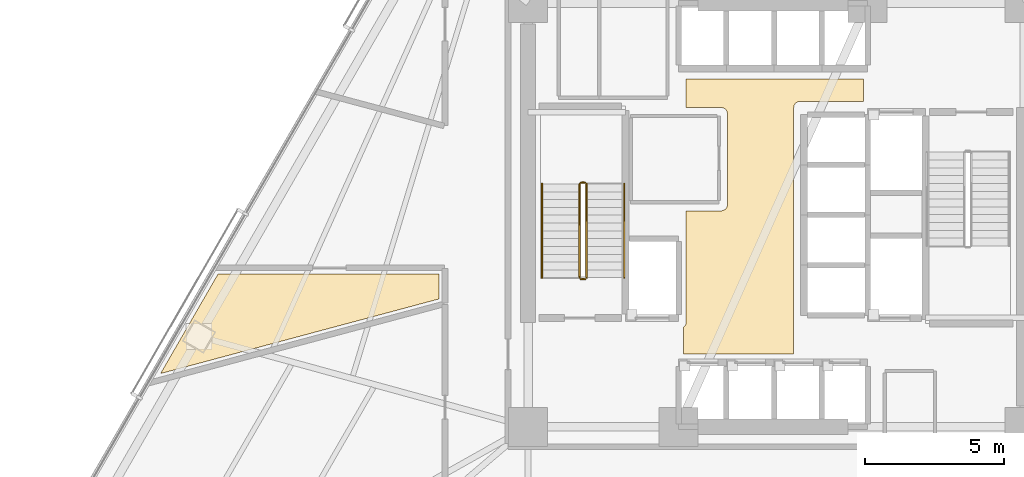
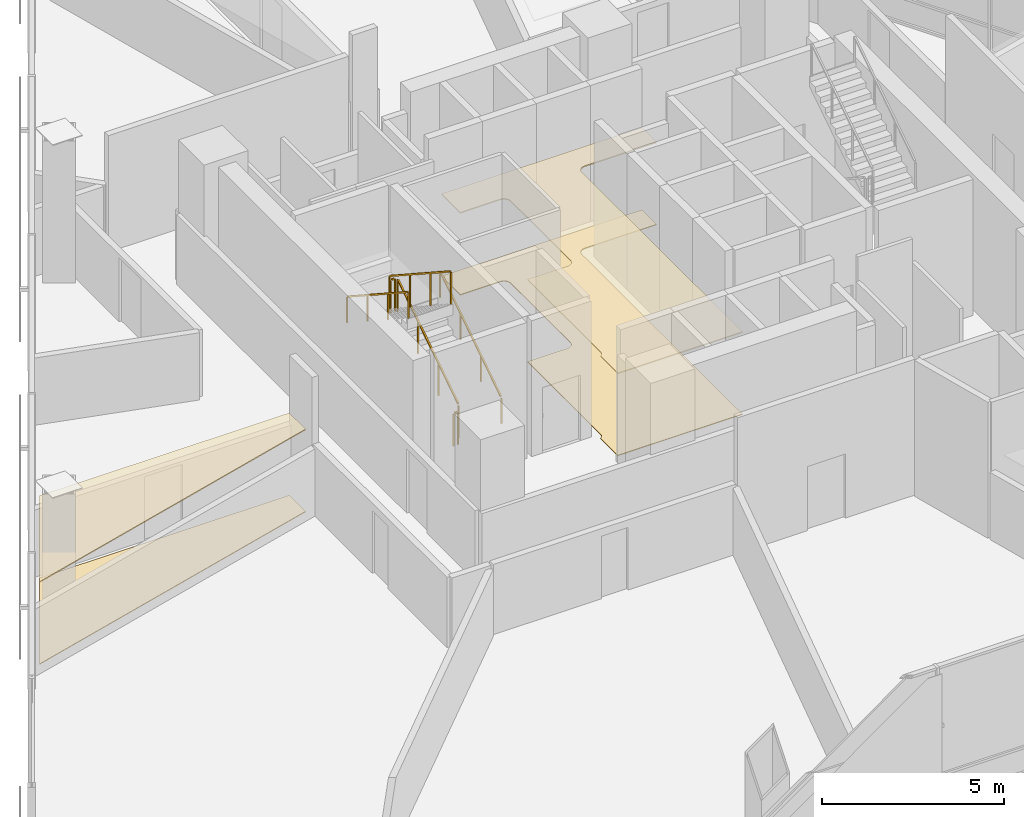
# One storey, part 14 of 17: 6 railings, 4 coverings.
"""IFC4 building model written with IfcOpenShell, lengths in metres."""

from ifc_helpers import new_model, si_unit, direction, frame, origin, origin_2d, place, context, subcontext, project, spatial, polyline, rectangle, outline, extrude, material, layer, layer_set, type_object, element, save


model = new_model("IFC4")

# Units and contexts
model_context = context("Model", 3, precision=1e-05, world=origin(), true_north=direction((0.0, 1.0)))
body_context = subcontext(model_context, "Body", "Model", "MODEL_VIEW")
ifc_project = project(units=[si_unit("LENGTHUNIT", "METRE"), si_unit("AREAUNIT", "SQUARE_METRE"), si_unit("VOLUMEUNIT", "CUBIC_METRE"), si_unit("PLANEANGLEUNIT", "RADIAN"), si_unit("MASSUNIT", "GRAM", prefix="KILO")], contexts=[model_context])

# Site, building, storey
site_placement = place(None, origin())
site = spatial("IfcSite", under=ifc_project, at=site_placement, CompositionType="ELEMENT")
building_placement = place(site_placement, origin())
building = spatial("IfcBuilding", under=site, at=building_placement, Name="Tharavind Bronze Gate", CompositionType="ELEMENT")
storey_placement = place(building_placement, frame((0.0, 0.0, 52.25)))
storey = spatial("IfcBuildingStorey", under=building, at=storey_placement, Name="L12", CompositionType="ELEMENT", Elevation=52.25)

# Coverings
ifc_material_1 = material(Name="Perforated Bronze Acoustic Panel", Category="bronze")
ifc_layer_1 = layer(ifc_material_1, 0.044921875)
ifc_layer_set_1 = layer_set([ifc_layer_1], Name="Perforated Bronze Acoustic Panel")
covering_type_1 = type_object("IfcCoveringType", Name="ACOUSTIC BRONZE BAFFLE CEILING", PredefinedType="CEILING", material=ifc_layer_set_1)
covering_1_placement = place(storey_placement, frame((0.0, 0.0, 2.75)))
element("IfcCovering", 1, at=covering_1_placement, inside=storey, type_object=covering_type_1, Name="L12-C-LL suspended ceiling", PredefinedType="CEILING", context=body_context, shape_type="SweptSolid", body=[
    extrude(outline(polyline([(-3.330078125, -4.97998046875), (0.6298828125, -4.97998046875), (0.6298828125, 3.85009765625), (0.631103515625, 3.87158203125), (0.63427734375, 3.892822265625), (0.639404296875, 3.913818359375), (0.646728515625, 3.93408203125), (0.656005859375, 3.95361328125), (0.6669921875, 3.97216796875), (0.679931640625, 3.989501953125), (0.6943359375, 4.005615234375), (0.71044921875, 4.02001953125), (0.727783203125, 4.032958984375), (0.746337890625, 4.0439453125), (0.765869140625, 4.05322265625), (0.7861328125, 4.060546875), (0.80712890625, 4.06591796875), (0.828369140625, 4.06884765625), (0.85009765625, 4.070068359375), (3.1298828125, 4.070068359375), (3.1298828125, 4.8798828125), (-3.22998046875, 4.8798828125), (-3.22998046875, 3.85009765625), (-1.969970703125, 3.85009765625), (-1.948486328125, 3.848876953125), (-1.927001953125, 3.845703125), (-1.906005859375, 3.840576171875), (-1.8857421875, 3.833251953125), (-1.8662109375, 3.823974609375), (-1.847900390625, 3.81298828125), (-1.830322265625, 3.800048828125), (-1.814453125, 3.78564453125), (-1.7998046875, 3.76953125), (-1.787109375, 3.752197265625), (-1.77587890625, 3.733642578125), (-1.7666015625, 3.714111328125), (-1.759521484375, 3.69384765625), (-1.754150390625, 3.6728515625), (-1.751220703125, 3.651611328125), (-1.75, 3.6298828125), (-1.75, 0.3701171875), (-1.751220703125, 0.348388671875), (-1.754150390625, 0.3271484375), (-1.759521484375, 0.30615234375), (-1.7666015625, 0.285888671875), (-1.77587890625, 0.266357421875), (-1.787109375, 0.247802734375), (-1.7998046875, 0.23046875), (-1.814453125, 0.21435546875), (-1.830322265625, 0.199951171875), (-1.847900390625, 0.18701171875), (-1.8662109375, 0.176025390625), (-1.8857421875, 0.166748046875), (-1.906005859375, 0.159423828125), (-1.927001953125, 0.154296875), (-1.948486328125, 0.151123046875), (-1.969970703125, 0.14990234375), (-3.22998046875, 0.14990234375), (-3.22998046875, -3.85009765625), (-3.231201171875, -3.87158203125), (-3.234130859375, -3.892822265625), (-3.239501953125, -3.913818359375), (-3.24658203125, -3.93408203125), (-3.256103515625, -3.95361328125), (-3.26708984375, -3.97216796875), (-3.27978515625, -3.989501953125), (-3.29443359375, -4.005615234375), (-3.310302734375, -4.02001953125), (-3.327880859375, -4.032958984375), (-3.330078125, -4.0341796875), (-3.330078125, -4.97998046875)])), origin(), (0.0, 0.0, 1.0), 0.034912109375),
])
covering_2_placement = place(storey_placement, frame((0.0, 0.0, 2.75)))
element("IfcCovering", 2, at=covering_2_placement, inside=storey, type_object=covering_type_1, Name="L12-RM-06 suspended ceiling", PredefinedType="CEILING", context=body_context, shape_type="SweptSolid", body=[
    extrude(outline(polyline([(-12.10009765625, -3.014404296875), (-12.10009765625, -2.1201171875), (-20.0224609375, -2.1201171875), (-22.08349609375, -5.689453125), (-12.10009765625, -3.014404296875)])), origin(), (0.0, 0.0, 1.0), 0.034912109375),
])
ifc_material_2 = material(Name="Honed Travertine Limestone", Category="masonry")
ifc_layer_2 = layer(ifc_material_2, 0.030029296875)
ifc_layer_set_2 = layer_set([ifc_layer_2], Name="Honed Travertine Limestone")
covering_type_2 = type_object("IfcCoveringType", Name="HONED LIMESTONE FLOORING", PredefinedType="FLOORING", material=ifc_layer_set_2)
covering_3_placement = place(storey_placement, origin())
element("IfcCovering", 3, at=covering_3_placement, inside=storey, type_object=covering_type_2, Name="L12-C-LL floor finish", PredefinedType="FLOORING", context=body_context, shape_type="SweptSolid", body=[
    extrude(outline(polyline([(-3.330078125, -4.97998046875), (0.6298828125, -4.97998046875), (0.6298828125, 3.85009765625), (0.631103515625, 3.87158203125), (0.63427734375, 3.892822265625), (0.639404296875, 3.913818359375), (0.646728515625, 3.93408203125), (0.656005859375, 3.95361328125), (0.6669921875, 3.97216796875), (0.679931640625, 3.989501953125), (0.6943359375, 4.005615234375), (0.71044921875, 4.02001953125), (0.727783203125, 4.032958984375), (0.746337890625, 4.0439453125), (0.765869140625, 4.05322265625), (0.7861328125, 4.060546875), (0.80712890625, 4.06591796875), (0.828369140625, 4.06884765625), (0.85009765625, 4.070068359375), (3.1298828125, 4.070068359375), (3.1298828125, 4.8798828125), (-3.22998046875, 4.8798828125), (-3.22998046875, 3.85009765625), (-1.969970703125, 3.85009765625), (-1.948486328125, 3.848876953125), (-1.927001953125, 3.845703125), (-1.906005859375, 3.840576171875), (-1.8857421875, 3.833251953125), (-1.8662109375, 3.823974609375), (-1.847900390625, 3.81298828125), (-1.830322265625, 3.800048828125), (-1.814453125, 3.78564453125), (-1.7998046875, 3.76953125), (-1.787109375, 3.752197265625), (-1.77587890625, 3.733642578125), (-1.7666015625, 3.714111328125), (-1.759521484375, 3.69384765625), (-1.754150390625, 3.6728515625), (-1.751220703125, 3.651611328125), (-1.75, 3.6298828125), (-1.75, 0.3701171875), (-1.751220703125, 0.348388671875), (-1.754150390625, 0.3271484375), (-1.759521484375, 0.30615234375), (-1.7666015625, 0.285888671875), (-1.77587890625, 0.266357421875), (-1.787109375, 0.247802734375), (-1.7998046875, 0.23046875), (-1.814453125, 0.21435546875), (-1.830322265625, 0.199951171875), (-1.847900390625, 0.18701171875), (-1.8662109375, 0.176025390625), (-1.8857421875, 0.166748046875), (-1.906005859375, 0.159423828125), (-1.927001953125, 0.154296875), (-1.948486328125, 0.151123046875), (-1.969970703125, 0.14990234375), (-3.22998046875, 0.14990234375), (-3.22998046875, -3.85009765625), (-3.231201171875, -3.87158203125), (-3.234130859375, -3.892822265625), (-3.239501953125, -3.913818359375), (-3.24658203125, -3.93408203125), (-3.256103515625, -3.95361328125), (-3.26708984375, -3.97216796875), (-3.27978515625, -3.989501953125), (-3.29443359375, -4.005615234375), (-3.310302734375, -4.02001953125), (-3.327880859375, -4.032958984375), (-3.330078125, -4.0341796875), (-3.330078125, -4.97998046875)])), origin(), (0.0, 0.0, 1.0), 0.02490234375),
])
covering_4_placement = place(storey_placement, origin())
element("IfcCovering", 4, at=covering_4_placement, inside=storey, type_object=covering_type_2, Name="L12-RM-06 floor finish", PredefinedType="FLOORING", context=body_context, shape_type="SweptSolid", body=[
    extrude(outline(polyline([(-12.10009765625, -3.014404296875), (-12.10009765625, -2.1201171875), (-20.0224609375, -2.1201171875), (-22.08349609375, -5.689453125), (-12.10009765625, -3.014404296875)])), origin(), (0.0, 0.0, 1.0), 0.02490234375),
])

# Railings
ifc_material_3 = material(Name="Brushed Bronze Alloy", Category="metal")
railing_type_1 = type_object("IfcRailingType", Name="STAIR BRONZE HANDRAIL 900", PredefinedType="HANDRAIL", material=ifc_material_3)
railing_1_placement = place(storey_placement, frame((-5.449951171875, -2.25, 0.1826171875)))
element("IfcRailing", 5, at=railing_1_placement, inside=storey, type_object=railing_type_1, Name="L12 ST1 stair handrail 1", PredefinedType="HANDRAIL", context=body_context, shape_type="SweptSolid", body=[
    extrude(rectangle(XDim=0.048095703125, YDim=0.048095703125, at=origin_2d()), frame((0.0, 0.02685546875, 0.893310546875), z_axis=(0.0, 0.837495574281, 0.546444107901), x_axis=(-1.0, 0.0, 0.0)), (0.0, 0.0, 1.0), 3.947998046875),
    extrude(rectangle(XDim=0.0400390625, YDim=0.0400390625, at=origin_2d()), origin(), (0.0, 0.0, 1.0), 0.847900390625),
    extrude(rectangle(XDim=0.0400390625, YDim=0.0400390625, at=origin_2d()), frame((0.0, 1.1201171875, 0.730712890625)), (0.0, 0.0, 1.0), 0.847900390625),
    extrude(rectangle(XDim=0.0400390625, YDim=0.0400390625, at=origin_2d()), frame((0.0, 2.239990234375, 1.461669921875)), (0.0, 0.0, 1.0), 0.847900390625),
    extrude(rectangle(XDim=0.0400390625, YDim=0.0400390625, at=origin_2d()), frame((0.0, 3.360107421875, 2.1923828125)), (0.0, 0.0, 1.0), 0.847900390625),
])
railing_2_placement = place(storey_placement, frame((-8.39990234375, 1.110107421875, 2.5576171875)))
element("IfcRailing", 6, at=railing_2_placement, inside=storey, type_object=railing_type_1, Name="L12 ST1 stair handrail 2", PredefinedType="HANDRAIL", context=body_context, shape_type="SweptSolid", body=[
    extrude(rectangle(XDim=0.048095703125, YDim=0.048095703125, at=origin_2d()), frame((0.0, -0.02685546875, 0.893310546875), z_axis=(0.0, -0.837495574281, 0.546444107901), x_axis=(1.0, 0.0, 0.0)), (0.0, 0.0, 1.0), 3.947998046875),
    extrude(rectangle(XDim=0.0400390625, YDim=0.0400390625, at=origin_2d()), origin(), (0.0, 0.0, 1.0), 0.847900390625),
    extrude(rectangle(XDim=0.0400390625, YDim=0.0400390625, at=origin_2d()), frame((0.0, -1.1201171875, 0.730712890625)), (0.0, 0.0, 1.0), 0.847900390625),
    extrude(rectangle(XDim=0.0400390625, YDim=0.0400390625, at=origin_2d()), frame((0.0, -2.239990234375, 1.461669921875)), (0.0, 0.0, 1.0), 0.847900390625),
    extrude(rectangle(XDim=0.0400390625, YDim=0.0400390625, at=origin_2d()), frame((0.0, -3.360107421875, 2.1923828125)), (0.0, 0.0, 1.0), 0.847900390625),
])
railing_type_2 = type_object("IfcRailingType", Name="STAIR WELL GUARD RAILING 1120", PredefinedType="GUARDRAIL", material=ifc_material_3)
railing_3_placement = place(storey_placement, frame((-6.800048828125, -2.25, 0.1826171875)))
element("IfcRailing", 7, at=railing_3_placement, inside=storey, type_object=railing_type_2, Name="L12 ST1 stair guard 1", PredefinedType="GUARDRAIL", context=body_context, shape_type="SweptSolid", body=[
    extrude(rectangle(XDim=0.048095703125, YDim=0.048095703125, at=origin_2d()), frame((0.0, 0.02685546875, 1.113525390625), z_axis=(0.0, 0.837495574281, 0.546444107901), x_axis=(-1.0, 0.0, 0.0)), (0.0, 0.0, 1.0), 3.947998046875),
    extrude(rectangle(XDim=0.0400390625, YDim=0.0400390625, at=origin_2d()), origin(), (0.0, 0.0, 1.0), 1.068115234375),
    extrude(rectangle(XDim=0.0400390625, YDim=0.0400390625, at=origin_2d()), frame((0.0, 1.1201171875, 0.730712890625)), (0.0, 0.0, 1.0), 1.068115234375),
    extrude(rectangle(XDim=0.0400390625, YDim=0.0400390625, at=origin_2d()), frame((0.0, 2.239990234375, 1.461669921875)), (0.0, 0.0, 1.0), 1.068115234375),
    extrude(rectangle(XDim=0.0400390625, YDim=0.0400390625, at=origin_2d()), frame((0.0, 3.360107421875, 2.1923828125)), (0.0, 0.0, 1.0), 1.068115234375),
])
railing_4_placement = place(storey_placement, frame((-6.85009765625, 1.159912109375, 2.375)))
element("IfcRailing", 8, at=railing_4_placement, inside=storey, type_object=railing_type_2, Name="L12 ST1 stair guard 2", PredefinedType="GUARDRAIL", context=body_context, shape_type="SweptSolid", body=[
    extrude(rectangle(XDim=0.048095703125, YDim=0.048095703125, at=origin_2d()), frame((-0.031982421875, 0.0, 1.09619140625), z_axis=(-1.0, 0.0, 0.0), x_axis=(0.0, -1.0, 0.0)), (0.0, 0.0, 1.0), 0.0859375),
    extrude(rectangle(XDim=0.0400390625, YDim=0.0400390625, at=origin_2d()), origin(), (0.0, 0.0, 1.0), 1.068115234375),
    extrude(rectangle(XDim=0.0400390625, YDim=0.0400390625, at=origin_2d()), frame((-0.14990234375, 0.0, 0.0)), (0.0, 0.0, 1.0), 1.068115234375),
])
railing_5_placement = place(storey_placement, frame((-7.050048828125, 1.110107421875, 2.5576171875)))
element("IfcRailing", 9, at=railing_5_placement, inside=storey, type_object=railing_type_2, Name="L12 ST1 stair guard 3", PredefinedType="GUARDRAIL", context=body_context, shape_type="SweptSolid", body=[
    extrude(rectangle(XDim=0.048095703125, YDim=0.048095703125, at=origin_2d()), frame((0.0, -0.02685546875, 1.113525390625), z_axis=(0.0, -0.837495574281, 0.546444107901), x_axis=(1.0, 0.0, 0.0)), (0.0, 0.0, 1.0), 3.947998046875),
    extrude(rectangle(XDim=0.0400390625, YDim=0.0400390625, at=origin_2d()), origin(), (0.0, 0.0, 1.0), 1.068115234375),
    extrude(rectangle(XDim=0.0400390625, YDim=0.0400390625, at=origin_2d()), frame((0.0, -1.1201171875, 0.730712890625)), (0.0, 0.0, 1.0), 1.068115234375),
    extrude(rectangle(XDim=0.0400390625, YDim=0.0400390625, at=origin_2d()), frame((0.0, -2.239990234375, 1.461669921875)), (0.0, 0.0, 1.0), 1.068115234375),
    extrude(rectangle(XDim=0.0400390625, YDim=0.0400390625, at=origin_2d()), frame((0.0, -3.360107421875, 2.1923828125)), (0.0, 0.0, 1.0), 1.068115234375),
])
railing_6_placement = place(storey_placement, frame((-6.85009765625, -2.300048828125, 0.0)))
element("IfcRailing", 10, at=railing_6_placement, inside=storey, type_object=railing_type_2, Name="L12 ST1 stair guard 4", PredefinedType="GUARDRAIL", context=body_context, shape_type="SweptSolid", body=[
    extrude(rectangle(XDim=0.048095703125, YDim=0.048095703125, at=origin_2d()), frame((-0.031982421875, 0.0, 1.09619140625), z_axis=(-1.0, 0.0, 0.0), x_axis=(0.0, -1.0, 0.0)), (0.0, 0.0, 1.0), 0.0859375),
    extrude(rectangle(XDim=0.0400390625, YDim=0.0400390625, at=origin_2d()), origin(), (0.0, 0.0, 1.0), 1.068115234375),
    extrude(rectangle(XDim=0.0400390625, YDim=0.0400390625, at=origin_2d()), frame((-0.14990234375, 0.0, 0.0)), (0.0, 0.0, 1.0), 1.068115234375),
])

save(model, "model.ifc")
